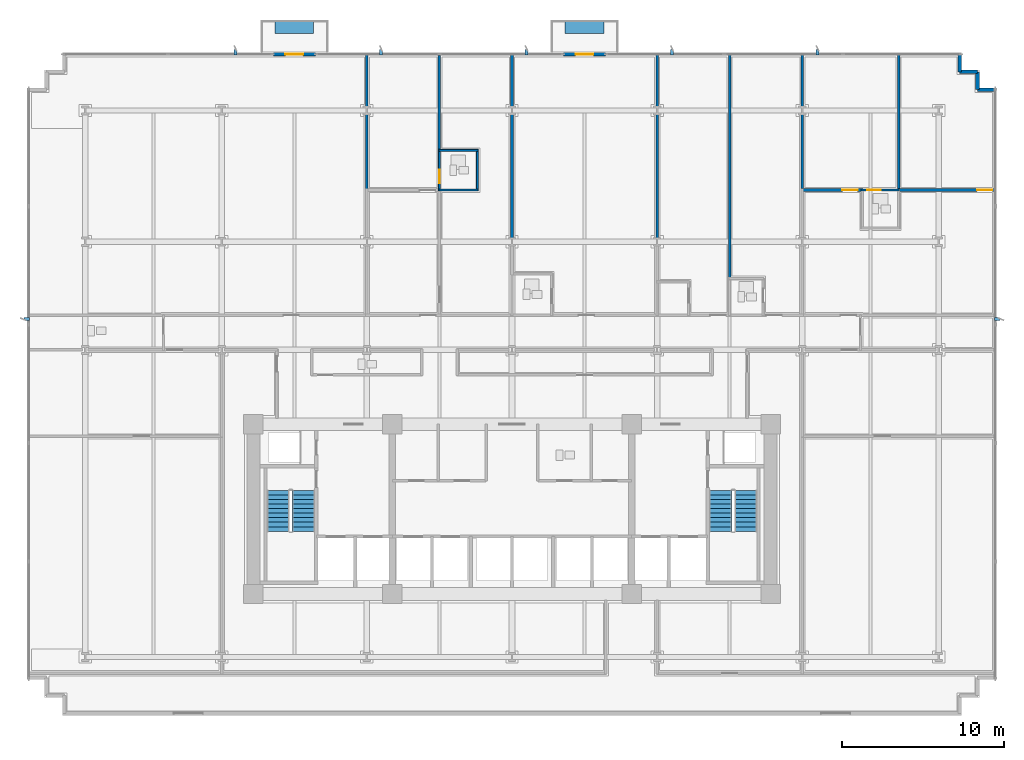
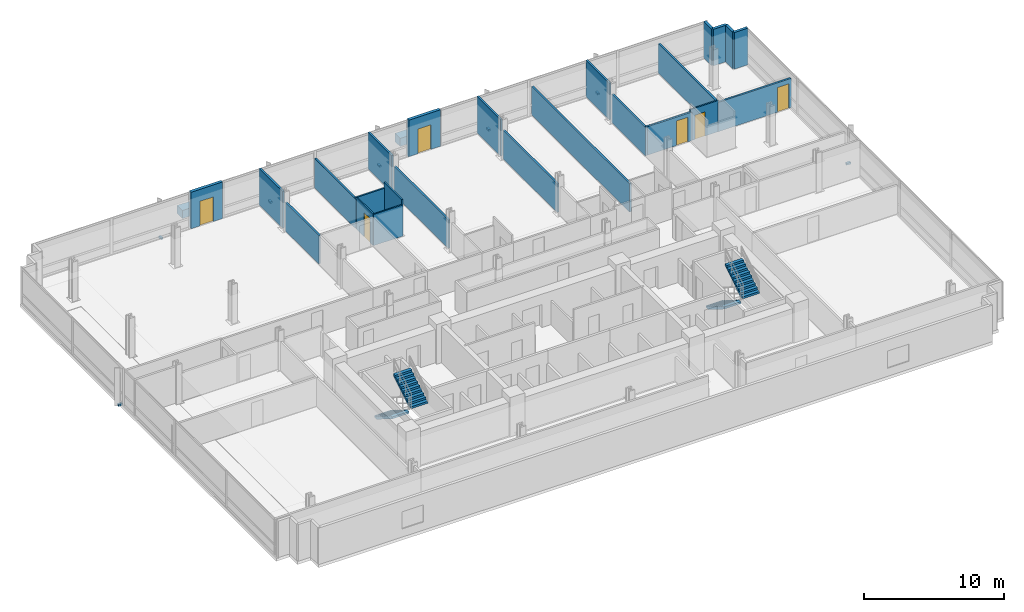
# One storey, part 11 of 18: 24 walls, 9 discrete accessories, 6 doors, 4 stair flights, 6 openings, 2 elements without a shape of their own.
"""IFC4 building model written with IfcOpenShell, lengths in metres."""

from ifc_helpers import new_model, si_unit, direction, frame, frame_2d, origin, origin_2d, place, context, subcontext, project, spatial, polyline, rectangle, outline, extrude, material, layer, layer_set, type_object, element, fill, aggregate, save


model = new_model("IFC4")

# Units and contexts
model_context = context("Model", 3, precision=1e-05, world=origin(), true_north=direction((0.0, 1.0)))
body_context = subcontext(model_context, "Body", "Model", "MODEL_VIEW")
ifc_project = project(units=[si_unit("LENGTHUNIT", "METRE"), si_unit("AREAUNIT", "SQUARE_METRE"), si_unit("VOLUMEUNIT", "CUBIC_METRE"), si_unit("PLANEANGLEUNIT", "RADIAN"), si_unit("MASSUNIT", "GRAM", prefix="KILO")], contexts=[model_context])

# Site, building, storey
site_placement = place(None, origin())
site = spatial("IfcSite", under=ifc_project, at=site_placement, CompositionType="ELEMENT")
building_placement = place(site_placement, origin())
building = spatial("IfcBuilding", under=site, at=building_placement, Name="Solmavex Isthmus Hotel", CompositionType="ELEMENT")
storey_placement = place(building_placement, frame((0.0, 0.0, 43.64990234375)))
storey = spatial("IfcBuildingStorey", under=building, at=storey_placement, Name="L11", CompositionType="ELEMENT", Elevation=43.64990234375)

# Wall, opening, door
ifc_material_1 = material(Name="Precast Concrete C40/50", Category="concrete")
ifc_layer_1 = layer(ifc_material_1, 0.25)
ifc_layer_set_1 = layer_set([ifc_layer_1], Name="Precast Concrete C40/50")
wall_type_1 = type_object("IfcWallType", Name="EW-TWR-250", PredefinedType="STANDARD", material=ifc_layer_set_1)
wall_1_placement = place(storey_placement, frame((-14.763916015625, 20.3798828125, 0.0), z_axis=(0.0, 0.0, 1.0), x_axis=(1.0, 0.0, 0.0)))
wall_1 = element("IfcWall", 1, at=wall_1_placement, inside=storey, type_object=wall_type_1, Name="Exterior Balcony Door Wall L11-2", PredefinedType="STANDARD", context=body_context, shape_type="SweptSolid", body=[
    extrude(rectangle(XDim=2.599853515625, YDim=0.239990234375, at=frame_2d((1.2998046875, 0.0))), origin(), (0.0, 0.0, 1.0), 3.190185546875),
])
opening_1_placement = place(wall_1_placement, frame((0.75, 0.0, 0.0)))
opening_1 = element("IfcOpeningElement", 2, at=opening_1_placement, cuts=wall_1, Name="Opening ED-02", PredefinedType="OPENING", context=body_context, shape_type="SweptSolid", body=[
    extrude(rectangle(XDim=1.10009765625, YDim=2.14990234375, at=frame_2d((0.550048828125, 1.074951171875))), frame((0.0, 0.1298828125, 0.0), z_axis=(0.0, -1.0, 0.0), x_axis=(1.0, 0.0, 0.0)), (0.0, 0.0, 1.0), 0.260009765625),
])
ifc_material_2 = material(Name="Aluminium alloy 6063-T6", Category="aluminium")
door_type_1 = type_object("IfcDoorType", Name="EDR-BALC-1100", OperationType="NOTDEFINED", PredefinedType="DOOR", material=ifc_material_2)
door_1_placement = place(opening_1_placement, origin())
door_1 = element("IfcDoor", 3, at=door_1_placement, inside=storey, type_object=door_type_1, Name="Balcony & Terrace Glazed Door L11-2", OperationType="SINGLE_SWING_RIGHT", OverallHeight=2.14990234375, OverallWidth=1.10009765625, PredefinedType="DOOR", context=body_context, shape_type="SweptSolid", body=[
    extrude(rectangle(XDim=1.10009765625, YDim=2.14990234375, at=frame_2d((0.550048828125, 1.074951171875))), frame((0.0, 0.02490234375, 0.0), z_axis=(0.0, -1.0, 0.0), x_axis=(1.0, 0.0, 0.0)), (0.0, 0.0, 1.0), 0.050048828125),
])
fill(opening_1, door_1)

wall_2_placement = place(storey_placement, frame((3.18798828125, 20.3798828125, 0.0), z_axis=(0.0, 0.0, 1.0), x_axis=(1.0, 0.0, 0.0)))
wall_2 = element("IfcWall", 4, at=wall_2_placement, inside=storey, type_object=wall_type_1, Name="Exterior Balcony Door Wall L11-3", PredefinedType="STANDARD", context=body_context, shape_type="SweptSolid", body=[
    extrude(rectangle(XDim=2.60009765625, YDim=0.239990234375, at=frame_2d((1.300048828125, 0.0))), origin(), (0.0, 0.0, 1.0), 3.190185546875),
])
opening_2_placement = place(wall_2_placement, frame((0.75, 0.0, 0.0)))
opening_2 = element("IfcOpeningElement", 5, at=opening_2_placement, cuts=wall_2, Name="Opening ED-02", PredefinedType="OPENING", context=body_context, shape_type="SweptSolid", body=[
    extrude(rectangle(XDim=1.10009765625, YDim=2.14990234375, at=frame_2d((0.550048828125, 1.074951171875))), frame((0.0, 0.1298828125, 0.0), z_axis=(0.0, -1.0, 0.0), x_axis=(1.0, 0.0, 0.0)), (0.0, 0.0, 1.0), 0.260009765625),
])
door_2_placement = place(opening_2_placement, origin())
door_2 = element("IfcDoor", 6, at=door_2_placement, inside=storey, type_object=door_type_1, Name="Balcony & Terrace Glazed Door L11-3", OperationType="SINGLE_SWING_LEFT", OverallHeight=2.14990234375, OverallWidth=1.10009765625, PredefinedType="DOOR", context=body_context, shape_type="SweptSolid", body=[
    extrude(rectangle(XDim=1.10009765625, YDim=2.14990234375, at=frame_2d((0.550048828125, 1.074951171875))), frame((0.0, 0.02490234375, 0.0), z_axis=(0.0, -1.0, 0.0), x_axis=(1.0, 0.0, 0.0)), (0.0, 0.0, 1.0), 0.050048828125),
])
fill(opening_2, door_2)

# Walls
wall_3_placement = place(storey_placement, frame((27.68994140625, 20.389892578125, 0.0), z_axis=(0.0, 0.0, 1.0), x_axis=(0.0, -1.0, 0.0)))
element("IfcWall", 7, at=wall_3_placement, inside=storey, type_object=wall_type_1, Name="Serrated Corner Facade Panel L11-11", PredefinedType="STANDARD", context=body_context, shape_type="SweptSolid", body=[
    extrude(rectangle(XDim=1.099853515625, YDim=0.219970703125, at=frame_2d((0.5498046875, 0.0))), origin(), (0.0, 0.0, 1.0), 3.190185546875),
])
for number, where, z_axis, x_axis, name in (
    (8, (27.68994140625, 19.2900390625, 0.0), (0.0, 0.0, 1.0), (1.0, 0.0, 0.0), "Serrated Corner Facade Panel L11-12"),
    (9, (28.7900390625, 19.2900390625, 0.0), (0.0, 0.0, 1.0), (0.0, -1.0, 0.0), "Serrated Corner Facade Panel L11-13"),
):
    element("IfcWall", number, at=place(storey_placement, frame(where, z_axis=z_axis, x_axis=x_axis)), inside=storey, type_object=wall_type_1, Name=name, PredefinedType="STANDARD", context=body_context, shape_type="SweptSolid", body=[
        extrude(rectangle(XDim=1.10009765625, YDim=0.219970703125, at=frame_2d((0.550048828125, 0.0))), origin(), (0.0, 0.0, 1.0), 3.190185546875),
    ])
wall_4_placement = place(storey_placement, frame((28.7900390625, 18.18994140625, 0.0), z_axis=(0.0, 0.0, 1.0), x_axis=(1.0, 0.0, 0.0)))
element("IfcWall", 10, at=wall_4_placement, inside=storey, type_object=wall_type_1, Name="Serrated Corner Facade Panel L11-14", PredefinedType="STANDARD", context=body_context, shape_type="SweptSolid", body=[
    extrude(rectangle(XDim=1.099853515625, YDim=0.219970703125, at=frame_2d((0.5498046875, 0.0))), origin(), (0.0, 0.0, 1.0), 3.190185546875),
])
ifc_material_3 = material(Name="Gypsum plasterboard lining", Category="gypsum")
ifc_layer_2 = layer(ifc_material_3, 0.159912109375)
ifc_layer_set_2 = layer_set([ifc_layer_2], Name="Gypsum plasterboard lining")
wall_type_2 = type_object("IfcWallType", Name="IW-COMP-160", PredefinedType="PARTITIONING", material=ifc_layer_set_2)
wall_5_placement = place(storey_placement, frame((-8.97607421875, 16.72509765625, 0.0), z_axis=(0.0, 0.0, 1.0), x_axis=(0.0, -1.0, 0.0)))
element("IfcWall", 11, at=wall_5_placement, inside=storey, type_object=wall_type_2, Name="Interior Partition Wall W-L11-P035", PredefinedType="PARTITIONING", context=body_context, shape_type="SweptSolid", body=[
    extrude(rectangle(XDim=4.819091796875, YDim=0.159912109375, at=frame_2d((2.40966796875, 0.0))), origin(), (0.0, 0.0, 1.0), 2.4794921875),
])
wall_6_placement = place(storey_placement, frame((-8.97607421875, 20.419921875, 0.0), z_axis=(0.0, 0.0, 1.0), x_axis=(0.0, -1.0, 0.0)))
element("IfcWall", 12, at=wall_6_placement, inside=storey, type_object=wall_type_2, Name="Interior Partition Wall W-L11-P036", PredefinedType="PARTITIONING", context=body_context, shape_type="SweptSolid", body=[
    extrude(rectangle(XDim=3.344970703125, YDim=0.159912109375, at=frame_2d((1.67236328125, 0.0))), origin(), (0.0, 0.0, 1.0), 3.190185546875),
])
wall_7_placement = place(storey_placement, frame((-4.488037109375, 20.300048828125, 0.0), z_axis=(0.0, 0.0, 1.0), x_axis=(0.0, -1.0, 0.0)))
element("IfcWall", 13, at=wall_7_placement, inside=storey, type_object=wall_type_2, Name="Interior Partition Wall W-L11-P040", PredefinedType="PARTITIONING", context=body_context, shape_type="SweptSolid", body=[
    extrude(rectangle(XDim=5.944091796875, YDim=0.159912109375, at=frame_2d((2.97216796875, 0.0))), origin(), (0.0, 0.0, 1.0), 2.55322265625),
])
wall_8_placement = place(storey_placement, frame((0.0, 16.72509765625, 0.0), z_axis=(0.0, 0.0, 1.0), x_axis=(0.0, -1.0, 0.0)))
element("IfcWall", 14, at=wall_8_placement, inside=storey, type_object=wall_type_2, Name="Interior Partition Wall W-L11-P046", PredefinedType="PARTITIONING", context=body_context, shape_type="SweptSolid", body=[
    extrude(rectangle(XDim=7.76220703125, YDim=0.159912109375, at=frame_2d((3.881103515625, 0.0))), origin(), (0.0, 0.0, 1.0), 2.4794921875),
])
wall_9_placement = place(storey_placement, frame((0.0, 20.419921875, 0.0), z_axis=(0.0, 0.0, 1.0), x_axis=(0.0, -1.0, 0.0)))
element("IfcWall", 15, at=wall_9_placement, inside=storey, type_object=wall_type_2, Name="Interior Partition Wall W-L11-P047", PredefinedType="PARTITIONING", context=body_context, shape_type="SweptSolid", body=[
    extrude(rectangle(XDim=3.344970703125, YDim=0.159912109375, at=frame_2d((1.67236328125, 0.0))), origin(), (0.0, 0.0, 1.0), 3.190185546875),
])
wall_10_placement = place(storey_placement, frame((8.97607421875, 16.72509765625, 0.0), z_axis=(0.0, 0.0, 1.0), x_axis=(0.0, -1.0, 0.0)))
element("IfcWall", 16, at=wall_10_placement, inside=storey, type_object=wall_type_2, Name="Interior Partition Wall W-L11-P052", PredefinedType="PARTITIONING", context=body_context, shape_type="SweptSolid", body=[
    extrude(rectangle(XDim=7.76220703125, YDim=0.159912109375, at=frame_2d((3.881103515625, 0.0))), origin(), (0.0, 0.0, 1.0), 2.4794921875),
])
wall_11_placement = place(storey_placement, frame((8.97607421875, 20.419921875, 0.0), z_axis=(0.0, 0.0, 1.0), x_axis=(0.0, -1.0, 0.0)))
element("IfcWall", 17, at=wall_11_placement, inside=storey, type_object=wall_type_2, Name="Interior Partition Wall W-L11-P053", PredefinedType="PARTITIONING", context=body_context, shape_type="SweptSolid", body=[
    extrude(rectangle(XDim=3.344970703125, YDim=0.159912109375, at=frame_2d((1.67236328125, 0.0))), origin(), (0.0, 0.0, 1.0), 3.190185546875),
])
wall_12_placement = place(storey_placement, frame((13.464111328125, 20.419921875, 0.0), z_axis=(0.0, 0.0, 1.0), x_axis=(0.0, -1.0, 0.0)))
element("IfcWall", 18, at=wall_12_placement, inside=storey, type_object=wall_type_2, Name="Interior Partition Wall W-L11-P057", PredefinedType="PARTITIONING", context=body_context, shape_type="SweptSolid", body=[
    extrude(rectangle(XDim=14.001953125, YDim=0.159912109375, at=frame_2d((7.0009765625, 0.0))), origin(), (0.0, 0.0, 1.0), 2.4794921875),
])
wall_13_placement = place(storey_placement, frame((17.951904296875, 16.72509765625, 0.0), z_axis=(0.0, 0.0, 1.0), x_axis=(0.0, -1.0, 0.0)))
element("IfcWall", 19, at=wall_13_placement, inside=storey, type_object=wall_type_2, Name="Interior Partition Wall W-L11-P063", PredefinedType="PARTITIONING", context=body_context, shape_type="SweptSolid", body=[
    extrude(rectangle(XDim=4.819091796875, YDim=0.159912109375, at=frame_2d((2.40966796875, 0.0))), origin(), (0.0, 0.0, 1.0), 2.4794921875),
])
wall_14_placement = place(storey_placement, frame((17.951904296875, 20.419921875, 0.0), z_axis=(0.0, 0.0, 1.0), x_axis=(0.0, -1.0, 0.0)))
element("IfcWall", 20, at=wall_14_placement, inside=storey, type_object=wall_type_2, Name="Interior Partition Wall W-L11-P064", PredefinedType="PARTITIONING", context=body_context, shape_type="SweptSolid", body=[
    extrude(rectangle(XDim=3.344970703125, YDim=0.159912109375, at=frame_2d((1.67236328125, 0.0))), origin(), (0.0, 0.0, 1.0), 3.190185546875),
])

# Wall, opening, door
wall_15_placement = place(storey_placement, frame((17.912109375, 11.988037109375, 0.0), z_axis=(0.0, 0.0, 1.0), x_axis=(1.0, 0.0, 0.0)))
wall_15 = element("IfcWall", 21, at=wall_15_placement, inside=storey, type_object=wall_type_2, Name="Interior Partition Wall W-L11-P065", PredefinedType="PARTITIONING", context=body_context, shape_type="SweptSolid", body=[
    extrude(rectangle(XDim=3.7939453125, YDim=0.159912109375, at=frame_2d((1.89697265625, 0.0))), origin(), (0.0, 0.0, 1.0), 2.4794921875),
])
opening_3_placement = place(wall_15_placement, frame((2.513916015625, 0.0, 0.0)))
opening_3 = element("IfcOpeningElement", 22, at=opening_3_placement, cuts=wall_15, Name="Opening ID-C095", PredefinedType="OPENING", context=body_context, shape_type="SweptSolid", body=[
    extrude(rectangle(XDim=0.949951171875, YDim=2.14990234375, at=frame_2d((0.47509765625, 1.074951171875))), frame((0.0, 0.08984375, 0.0), z_axis=(0.0, -1.0, 0.0), x_axis=(1.0, 0.0, 0.0)), (0.0, 0.0, 1.0), 0.179931640625),
])
ifc_material_4 = material(Name="Hardwood timber", Category="wood")
door_type_2 = type_object("IfcDoorType", Name="IDR-FD60-0950", OperationType="NOTDEFINED", PredefinedType="DOOR", material=ifc_material_4)
door_3_placement = place(opening_3_placement, origin())
door_3 = element("IfcDoor", 23, at=door_3_placement, inside=storey, type_object=door_type_2, Name="Corner Diplomatic Suite Bedroom Door L11-13", OperationType="SINGLE_SWING_LEFT", OverallHeight=2.14990234375, OverallWidth=0.949951171875, PredefinedType="DOOR", context=body_context, shape_type="SweptSolid", body=[
    extrude(rectangle(XDim=0.949951171875, YDim=2.14990234375, at=frame_2d((0.47509765625, 1.074951171875))), frame((0.0, 0.02490234375, 0.0), z_axis=(0.0, -1.0, 0.0), x_axis=(1.0, 0.0, 0.0)), (0.0, 0.0, 1.0), 0.050048828125),
])
fill(opening_3, door_3)

wall_16_placement = place(storey_placement, frame((23.8759765625, 11.988037109375, 0.0), z_axis=(0.0, 0.0, 1.0), x_axis=(1.0, 0.0, 0.0)))
wall_16 = element("IfcWall", 24, at=wall_16_placement, inside=storey, type_object=wall_type_2, Name="Interior Partition Wall W-L11-P066", PredefinedType="PARTITIONING", context=body_context, shape_type="SweptSolid", body=[
    extrude(rectangle(XDim=6.0439453125, YDim=0.159912109375, at=frame_2d((3.02197265625, 0.0))), origin(), (0.0, 0.0, 1.0), 2.55322265625),
])
opening_4_placement = place(wall_16_placement, frame((4.884033203125, 0.0, 0.0)))
opening_4 = element("IfcOpeningElement", 25, at=opening_4_placement, cuts=wall_16, Name="Opening ID-C095", PredefinedType="OPENING", context=body_context, shape_type="SweptSolid", body=[
    extrude(rectangle(XDim=0.949951171875, YDim=2.14990234375, at=frame_2d((0.47509765625, 1.074951171875))), frame((0.0, 0.08984375, 0.0), z_axis=(0.0, -1.0, 0.0), x_axis=(1.0, 0.0, 0.0)), (0.0, 0.0, 1.0), 0.179931640625),
])
door_4_placement = place(opening_4_placement, origin())
door_4 = element("IfcDoor", 26, at=door_4_placement, inside=storey, type_object=door_type_2, Name="Corner Diplomatic Suite Sitting Lounge Door L11-14", OperationType="SINGLE_SWING_RIGHT", OverallHeight=2.14990234375, OverallWidth=0.949951171875, PredefinedType="DOOR", context=body_context, shape_type="SweptSolid", body=[
    extrude(rectangle(XDim=0.949951171875, YDim=2.14990234375, at=frame_2d((0.47509765625, 1.074951171875))), frame((0.0, 0.02490234375, 0.0), z_axis=(0.0, -1.0, 0.0), x_axis=(1.0, 0.0, 0.0)), (0.0, 0.0, 1.0), 0.050048828125),
])
fill(opening_4, door_4)

# Wall
wall_17_placement = place(storey_placement, frame((23.916015625, 20.419921875, 0.0), z_axis=(0.0, 0.0, 1.0), x_axis=(0.0, -1.0, 0.0)))
element("IfcWall", 27, at=wall_17_placement, inside=storey, type_object=wall_type_2, Name="Interior Partition Wall W-L11-P071", PredefinedType="PARTITIONING", context=body_context, shape_type="SweptSolid", body=[
    extrude(rectangle(XDim=8.471923828125, YDim=0.159912109375, at=frame_2d((4.23583984375, 0.0))), origin(), (0.0, 0.0, 1.0), 2.55322265625),
])

# Wall, opening, door
ifc_layer_3 = layer(ifc_material_3, 0.1201171875)
ifc_layer_set_3 = layer_set([ifc_layer_3], Name="Gypsum plasterboard lining")
wall_type_3 = type_object("IfcWallType", Name="IW-PART-120", PredefinedType="PARTITIONING", material=ifc_layer_set_3)
wall_18_placement = place(storey_placement, frame((-4.488037109375, 14.52001953125, 0.0), z_axis=(0.0, 0.0, 1.0), x_axis=(0.0, -1.0, 0.0)))
wall_18 = element("IfcWall", 28, at=wall_18_placement, inside=storey, type_object=wall_type_3, Name="Interior Partition Wall W-L11-P041", PredefinedType="PARTITIONING", context=body_context, shape_type="SweptSolid", body=[
    extrude(rectangle(XDim=2.572021484375, YDim=0.1201171875, at=frame_2d((1.2861328125, 0.0))), origin(), (0.0, 0.0, 1.0), 2.71826171875),
])
opening_5_placement = place(wall_18_placement, frame((1.27978515625, 0.0, 0.0)))
opening_5 = element("IfcOpeningElement", 29, at=opening_5_placement, cuts=wall_18, Name="Opening ID-U085", PredefinedType="OPENING", context=body_context, shape_type="SweptSolid", body=[
    extrude(rectangle(XDim=0.85009765625, YDim=2.10009765625, at=frame_2d((0.425048828125, 1.050048828125))), frame((0.0, 0.070068359375, 0.0), z_axis=(0.0, -1.0, 0.0), x_axis=(1.0, 0.0, 0.0)), (0.0, 0.0, 1.0), 0.14013671875),
])
door_type_3 = type_object("IfcDoorType", Name="IDR-UNR-0850", OperationType="NOTDEFINED", PredefinedType="DOOR", material=ifc_material_4)
door_5_placement = place(opening_5_placement, origin())
door_5 = element("IfcDoor", 30, at=door_5_placement, inside=storey, type_object=door_type_3, Name="En-suite Bathroom Door L11-05", OperationType="SINGLE_SWING_LEFT", OverallHeight=2.10009765625, OverallWidth=0.85009765625, PredefinedType="DOOR", context=body_context, shape_type="SweptSolid", body=[
    extrude(rectangle(XDim=0.85009765625, YDim=2.10009765625, at=frame_2d((0.425048828125, 1.050048828125))), frame((0.0, 0.02490234375, 0.0), z_axis=(0.0, -1.0, 0.0), x_axis=(1.0, 0.0, 0.0)), (0.0, 0.0, 1.0), 0.050048828125),
])
fill(opening_5, door_5)

# Walls
wall_19_placement = place(storey_placement, frame((-4.528076171875, 11.988037109375, 0.0), z_axis=(0.0, 0.0, 1.0), x_axis=(1.0, 0.0, 0.0)))
element("IfcWall", 31, at=wall_19_placement, inside=storey, type_object=wall_type_3, Name="Interior Partition Wall W-L11-P042", PredefinedType="PARTITIONING", context=body_context, shape_type="SweptSolid", body=[
    extrude(rectangle(XDim=2.43017578125, YDim=0.1201171875, at=frame_2d((1.215087890625, 0.0))), origin(), (0.0, 0.0, 1.0), 2.71826171875),
])
wall_20_placement = place(storey_placement, frame((-2.137939453125, 11.947998046875, 0.0), z_axis=(0.0, 0.0, 1.0), x_axis=(0.0, 1.0, 0.0)))
element("IfcWall", 32, at=wall_20_placement, inside=storey, type_object=wall_type_3, Name="Interior Partition Wall W-L11-P043", PredefinedType="PARTITIONING", context=body_context, shape_type="SweptSolid", body=[
    extrude(rectangle(XDim=2.530029296875, YDim=0.1201171875, at=frame_2d((1.26513671875, 0.0))), origin(), (0.0, 0.0, 1.0), 3.190185546875),
])
wall_21_placement = place(storey_placement, frame((-2.097900390625, 14.43798828125, 0.0), z_axis=(0.0, 0.0, 1.0), x_axis=(-1.0, 0.0, 0.0)))
element("IfcWall", 33, at=wall_21_placement, inside=storey, type_object=wall_type_3, Name="Interior Partition Wall W-L11-P044", PredefinedType="PARTITIONING", context=body_context, shape_type="SweptSolid", body=[
    extrude(rectangle(XDim=2.43017578125, YDim=0.1201171875, at=frame_2d((1.215087890625, 0.0))), origin(), (0.0, 0.0, 1.0), 2.71826171875),
])

# Wall, opening, door
wall_22_placement = place(storey_placement, frame((23.9560546875, 11.988037109375, 0.0), z_axis=(0.0, 0.0, 1.0), x_axis=(-1.0, 0.0, 0.0)))
wall_22 = element("IfcWall", 34, at=wall_22_placement, inside=storey, type_object=wall_type_3, Name="Interior Partition Wall W-L11-P072", PredefinedType="PARTITIONING", context=body_context, shape_type="SweptSolid", body=[
    extrude(rectangle(XDim=2.3720703125, YDim=0.1201171875, at=frame_2d((1.18603515625, 0.0))), origin(), (0.0, 0.0, 1.0), 2.71826171875),
])
opening_6_placement = place(wall_22_placement, frame((1.14599609375, 0.0, 0.0)))
opening_6 = element("IfcOpeningElement", 35, at=opening_6_placement, cuts=wall_22, Name="Opening ID-U085", PredefinedType="OPENING", context=body_context, shape_type="SweptSolid", body=[
    extrude(rectangle(XDim=0.85009765625, YDim=2.10009765625, at=frame_2d((0.425048828125, 1.050048828125))), frame((0.0, 0.070068359375, 0.0), z_axis=(0.0, -1.0, 0.0), x_axis=(1.0, 0.0, 0.0)), (0.0, 0.0, 1.0), 0.14013671875),
])
door_6_placement = place(opening_6_placement, frame((0.85009765625, 0.0, 0.0), z_axis=(0.0, 0.0, 1.0), x_axis=(-1.0, 0.0, 0.0)))
door_6 = element("IfcDoor", 36, at=door_6_placement, inside=storey, type_object=door_type_3, Name="En-suite Bathroom Door L11-15", OperationType="SINGLE_SWING_LEFT", OverallHeight=2.10009765625, OverallWidth=0.85009765625, PredefinedType="DOOR", context=body_context, shape_type="SweptSolid", body=[
    extrude(rectangle(XDim=0.85009765625, YDim=2.10009765625, at=frame_2d((0.425048828125, 1.050048828125))), frame((0.0, 0.02490234375, 0.0), z_axis=(0.0, -1.0, 0.0), x_axis=(1.0, 0.0, 0.0)), (0.0, 0.0, 1.0), 0.050048828125),
])
fill(opening_6, door_6)

# Stair, stair flights
ifc_material_5 = material(Name="Concrete C40/50", Category="concrete")
stair_type_1 = type_object("IfcStairType", Name="STR-ST-1", PredefinedType="HALF_TURN_STAIR", material=ifc_material_5)
stair_1_placement = place(storey_placement, origin())
stair_1 = element("IfcStair", 37, at=stair_1_placement, inside=storey, type_object=stair_type_1, Name="L11 Protected Exit Stair ST-1", PredefinedType="HALF_TURN_STAIR")
stair_flight_type_1 = type_object("IfcStairFlightType", Name="SFL-ST-1", PredefinedType="STRAIGHT", material=ifc_material_5)
stair_flight_1_placement = place(storey_placement, frame((-14.449951171875, -6.60009765625, 0.0), z_axis=(0.0, 0.0, 1.0), x_axis=(0.0, -1.0, 0.0)))
stair_flight_1 = element("IfcStairFlight", 38, at=stair_flight_1_placement, type_object=stair_flight_type_1, Name="ST-1 flight 1", NumberOfRisers=10, NumberOfTreads=9, PredefinedType="STRAIGHT", RiserHeight=0.1725, TreadLength=0.28, context=body_context, shape_type="SweptSolid", body=[
    extrude(outline(polyline([(0.0, 0.0), (0.0, 0.172607421875), (0.280029296875, 0.172607421875), (0.280029296875, 0.344970703125), (0.56005859375, 0.344970703125), (0.56005859375, 0.517578125), (0.840087890625, 0.517578125), (0.840087890625, 0.68994140625), (1.1201171875, 0.68994140625), (1.1201171875, 0.862548828125), (1.39990234375, 0.862548828125), (1.39990234375, 1.034912109375), (1.679931640625, 1.034912109375), (1.679931640625, 1.20751953125), (1.9599609375, 1.20751953125), (1.9599609375, 1.3798828125), (2.239990234375, 1.3798828125), (2.239990234375, 1.552490234375), (2.52001953125, 1.552490234375), (2.52001953125, 1.72509765625), (2.52001953125, 1.37646484375), (0.285888671875, 0.0), (0.0, 0.0)])), frame((0.0, 0.699951171875, 0.0), z_axis=(0.0, -1.0, 0.0), x_axis=(1.0, 0.0, 0.0)), (0.0, 0.0, 1.0), 1.39990234375),
])
stair_flight_2_placement = place(storey_placement, frame((-12.89990234375, -9.1201171875, 1.72509765625), z_axis=(0.0, 0.0, 1.0), x_axis=(0.0, 1.0, 0.0)))
stair_flight_2 = element("IfcStairFlight", 39, at=stair_flight_2_placement, type_object=stair_flight_type_1, Name="ST-1 flight 2", NumberOfRisers=10, NumberOfTreads=9, PredefinedType="STRAIGHT", RiserHeight=0.1725, TreadLength=0.28, context=body_context, shape_type="SweptSolid", body=[
    extrude(outline(polyline([(0.0, 0.0), (0.0, 0.172607421875), (0.280029296875, 0.172607421875), (0.280029296875, 0.344970703125), (0.56005859375, 0.344970703125), (0.56005859375, 0.517578125), (0.840087890625, 0.517578125), (0.840087890625, 0.68994140625), (1.1201171875, 0.68994140625), (1.1201171875, 0.862548828125), (1.39990234375, 0.862548828125), (1.39990234375, 1.034912109375), (1.679931640625, 1.034912109375), (1.679931640625, 1.20751953125), (1.9599609375, 1.20751953125), (1.9599609375, 1.3798828125), (2.239990234375, 1.3798828125), (2.239990234375, 1.552490234375), (2.52001953125, 1.552490234375), (2.52001953125, 1.72509765625), (2.52001953125, 1.37646484375), (0.285888671875, 0.0), (0.0, 0.0)])), frame((0.0, 0.699951171875, 0.0), z_axis=(0.0, -1.0, 0.0), x_axis=(1.0, 0.0, 0.0)), (0.0, 0.0, 1.0), 1.39990234375),
])
aggregate(stair_1, [stair_flight_1, stair_flight_2])

stair_type_2 = type_object("IfcStairType", Name="STR-ST-2", PredefinedType="HALF_TURN_STAIR", material=ifc_material_5)
stair_2_placement = place(storey_placement, origin())
stair_2 = element("IfcStair", 40, at=stair_2_placement, inside=storey, type_object=stair_type_2, Name="L11 Protected Exit Stair ST-2", PredefinedType="HALF_TURN_STAIR")
stair_flight_type_2 = type_object("IfcStairFlightType", Name="SFL-ST-2", PredefinedType="STRAIGHT", material=ifc_material_5)
stair_flight_3_placement = place(storey_placement, frame((12.89990234375, -6.60009765625, 0.0), z_axis=(0.0, 0.0, 1.0), x_axis=(0.0, -1.0, 0.0)))
stair_flight_3 = element("IfcStairFlight", 41, at=stair_flight_3_placement, type_object=stair_flight_type_2, Name="ST-2 flight 1", NumberOfRisers=10, NumberOfTreads=9, PredefinedType="STRAIGHT", RiserHeight=0.1725, TreadLength=0.28, context=body_context, shape_type="SweptSolid", body=[
    extrude(outline(polyline([(0.0, 0.0), (0.0, 0.172607421875), (0.280029296875, 0.172607421875), (0.280029296875, 0.344970703125), (0.56005859375, 0.344970703125), (0.56005859375, 0.517578125), (0.840087890625, 0.517578125), (0.840087890625, 0.68994140625), (1.1201171875, 0.68994140625), (1.1201171875, 0.862548828125), (1.39990234375, 0.862548828125), (1.39990234375, 1.034912109375), (1.679931640625, 1.034912109375), (1.679931640625, 1.20751953125), (1.9599609375, 1.20751953125), (1.9599609375, 1.3798828125), (2.239990234375, 1.3798828125), (2.239990234375, 1.552490234375), (2.52001953125, 1.552490234375), (2.52001953125, 1.72509765625), (2.52001953125, 1.37646484375), (0.285888671875, 0.0), (0.0, 0.0)])), frame((0.0, 0.699951171875, 0.0), z_axis=(0.0, -1.0, 0.0), x_axis=(1.0, 0.0, 0.0)), (0.0, 0.0, 1.0), 1.39990234375),
])
stair_flight_4_placement = place(storey_placement, frame((14.449951171875, -9.1201171875, 1.72509765625), z_axis=(0.0, 0.0, 1.0), x_axis=(0.0, 1.0, 0.0)))
stair_flight_4 = element("IfcStairFlight", 42, at=stair_flight_4_placement, type_object=stair_flight_type_2, Name="ST-2 flight 2", NumberOfRisers=10, NumberOfTreads=9, PredefinedType="STRAIGHT", RiserHeight=0.1725, TreadLength=0.28, context=body_context, shape_type="SweptSolid", body=[
    extrude(outline(polyline([(0.0, 0.0), (0.0, 0.172607421875), (0.280029296875, 0.172607421875), (0.280029296875, 0.344970703125), (0.56005859375, 0.344970703125), (0.56005859375, 0.517578125), (0.840087890625, 0.517578125), (0.840087890625, 0.68994140625), (1.1201171875, 0.68994140625), (1.1201171875, 0.862548828125), (1.39990234375, 0.862548828125), (1.39990234375, 1.034912109375), (1.679931640625, 1.034912109375), (1.679931640625, 1.20751953125), (1.9599609375, 1.20751953125), (1.9599609375, 1.3798828125), (2.239990234375, 1.3798828125), (2.239990234375, 1.552490234375), (2.52001953125, 1.552490234375), (2.52001953125, 1.72509765625), (2.52001953125, 1.37646484375), (0.285888671875, 0.0), (0.0, 0.0)])), frame((0.0, 0.699951171875, 0.0), z_axis=(0.0, -1.0, 0.0), x_axis=(1.0, 0.0, 0.0)), (0.0, 0.0, 1.0), 1.39990234375),
])
aggregate(stair_2, [stair_flight_3, stair_flight_4])

# Discrete accessories
ifc_material_6 = material(Name="Steel ASTM A572 Grade 50", Category="steel")
discrete_accessory_type_1 = type_object("IfcDiscreteAccessoryType", Name="ACC-BRK-FIN", PredefinedType="BRACKET", material=ifc_material_6)
for number, where, z_axis, x_axis, name in (
    (43, (-17.10009765625, 20.52001953125, -0.169921875), (0.0, 0.0, 1.0), (0.0, 1.0, 0.0), "Facade Fin Support Bracket L11-N1"),
    (44, (-8.10009765625, 20.52001953125, -0.169921875), (0.0, 0.0, 1.0), (0.0, 1.0, 0.0), "Facade Fin Support Bracket L11-N2"),
    (45, (0.89990234375, 20.52001953125, -0.169921875), (0.0, 0.0, 1.0), (0.0, 1.0, 0.0), "Facade Fin Support Bracket L11-N3"),
    (46, (9.89990234375, 20.52001953125, -0.169921875), (0.0, 0.0, 1.0), (0.0, 1.0, 0.0), "Facade Fin Support Bracket L11-N4"),
    (47, (18.89990234375, 20.52001953125, -0.169921875), (0.0, 0.0, 1.0), (0.0, 1.0, 0.0), "Facade Fin Support Bracket L11-N5"),
    (48, (-30.02001953125, 4.0, -0.169921875), (0.0, 0.0, 1.0), (-1.0, 0.0, 0.0), "Facade Fin Support Bracket L11-W1"),
    (49, (30.02001953125, 4.0, -0.169921875), (0.0, 0.0, 1.0), (1.0, 0.0, 0.0), "Facade Fin Support Bracket L11-E1"),
):
    element("IfcDiscreteAccessory", number, at=place(storey_placement, frame(where, z_axis=z_axis, x_axis=x_axis)), inside=storey, type_object=discrete_accessory_type_1, Name=name, PredefinedType="BRACKET", context=body_context, shape_type="SweptSolid", body=[
        extrude(rectangle(XDim=0.340087890625, YDim=0.179931640625, at=origin_2d()), origin(), (0.0, 0.0, 1.0), 0.159912109375),
    ])
discrete_accessory_type_2 = type_object("IfcDiscreteAccessoryType", Name="ACC-PLN-BALC", PredefinedType="USERDEFINED", material=ifc_material_1)
for number, where, z_axis, x_axis, name in (
    (50, (-13.464111328125, 22.050048828125, 0.0), (0.0, 0.0, 1.0), (1.0, 0.0, 0.0), "Tree-Balcony Architectural Planter L11-B1"),
    (51, (4.488037109375, 22.050048828125, 0.0), (0.0, 0.0, 1.0), (1.0, 0.0, 0.0), "Tree-Balcony Architectural Planter L11-B2"),
):
    element("IfcDiscreteAccessory", number, at=place(storey_placement, frame(where, z_axis=z_axis, x_axis=x_axis)), inside=storey, type_object=discrete_accessory_type_2, Name=name, ObjectType="PLANTER", PredefinedType="USERDEFINED", context=body_context, shape_type="SweptSolid", body=[
        extrude(rectangle(XDim=2.39990234375, YDim=0.75, at=origin_2d()), origin(), (0.0, 0.0, 1.0), 0.699951171875),
    ])

save(model, "model.ifc")
